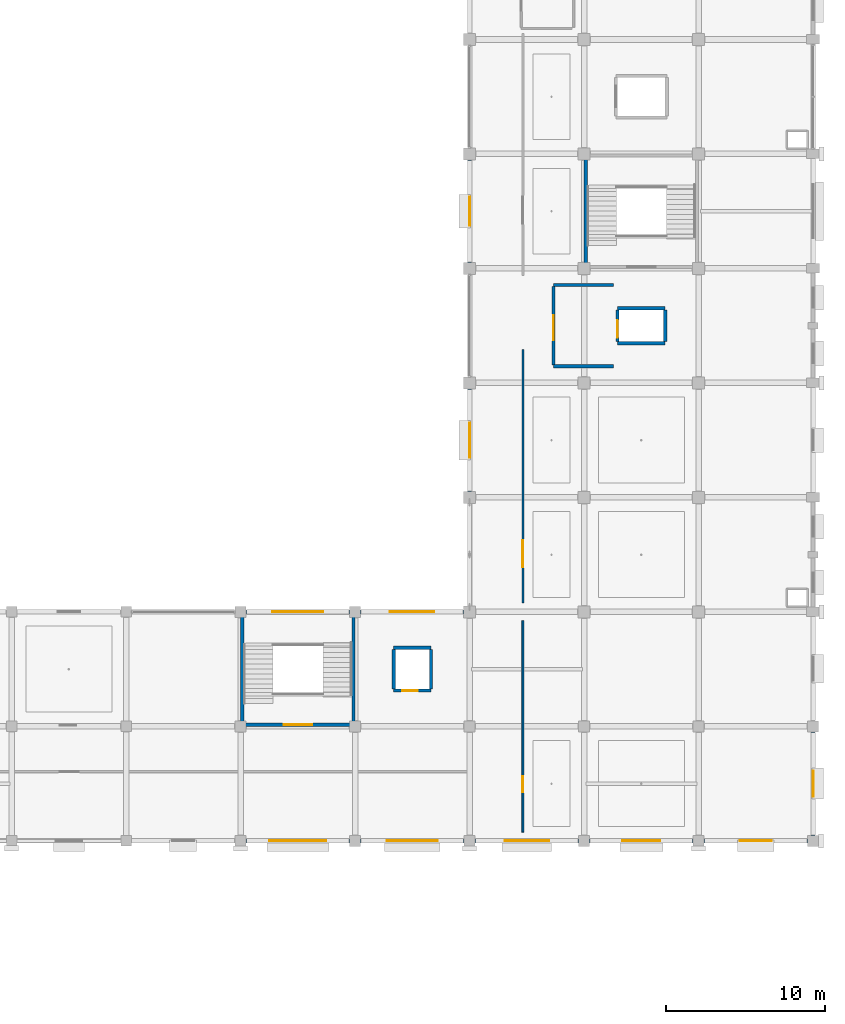
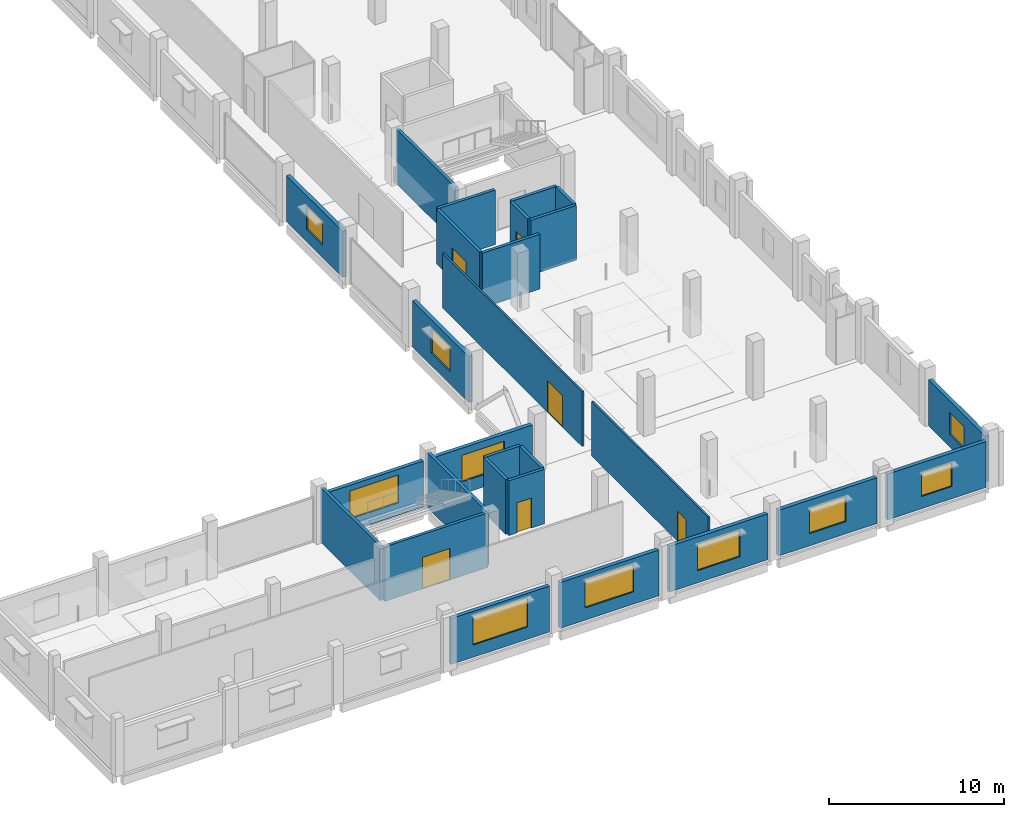
# One storey, part 85 of 108: 27 walls, 10 windows, 6 doors, 16 openings.
"""IFC4 building model written with IfcOpenShell, lengths in metres."""

from ifc_helpers import new_model, si_unit, direction, frame, frame_2d, origin, place, context, subcontext, project, spatial, rectangle, extrude, material, layer, layer_set, type_object, element, fill, save


model = new_model("IFC4")

# Units and contexts
model_context = context("Model", 3, precision=1e-05, world=origin(), true_north=direction((0.0, 1.0)))
body_context = subcontext(model_context, "Body", "Model", "MODEL_VIEW")
ifc_project = project(units=[si_unit("LENGTHUNIT", "METRE"), si_unit("AREAUNIT", "SQUARE_METRE"), si_unit("VOLUMEUNIT", "CUBIC_METRE"), si_unit("PLANEANGLEUNIT", "RADIAN"), si_unit("MASSUNIT", "GRAM", prefix="KILO")], contexts=[model_context])

# Site, building, storey
site_placement = place(None, origin())
site = spatial("IfcSite", under=ifc_project, at=site_placement, CompositionType="ELEMENT")
building_placement = place(site_placement, origin())
building = spatial("IfcBuilding", under=site, at=building_placement, Name="Kangsadwip Square Police Headquarters", CompositionType="ELEMENT")
storey_placement = place(building_placement, frame((0.0, 0.0, 9.449951171875)))
storey = spatial("IfcBuildingStorey", under=building, at=storey_placement, Name="L02", CompositionType="ELEMENT", Elevation=9.449951171875)

# Wall, opening, door
ifc_material_1 = material(Name="Fire-rated double gypsum board acoustic stud partition", Category="masonry")
ifc_layer_1 = layer(ifc_material_1, 0.1201171875)
ifc_layer_set_1 = layer_set([ifc_layer_1], Name="Fire-rated double gypsum board acoustic stud partition")
wall_type_1 = type_object("IfcWallType", Name="AcousticPartition120", PredefinedType="PARTITIONING", material=ifc_layer_set_1)
wall_1_placement = place(storey_placement, frame((147.35009765625, 36.550048828125, 0.0), z_axis=(0.0, 0.0, 1.0), x_axis=(0.0, 1.0, 0.0)))
wall_1 = element("IfcWall", 1, at=wall_1_placement, inside=storey, type_object=wall_type_1, Name="Interior Wall WI-L02-0785", PredefinedType="PARTITIONING", context=body_context, shape_type="SweptSolid", body=[
    extrude(rectangle(XDim=15.949951171875, YDim=0.1201171875, at=frame_2d((7.97509765625, 0.0))), origin(), (0.0, 0.0, 1.0), 3.81005859375),
])
opening_1_placement = place(wall_1_placement, frame((2.25, 0.0, 0.0)))
opening_1 = element("IfcOpeningElement", 2, at=opening_1_placement, cuts=wall_1, Name="Opening ID-17", PredefinedType="OPENING", context=body_context, shape_type="SweptSolid", body=[
    extrude(rectangle(XDim=1.699951171875, YDim=2.199951171875, at=frame_2d((0.85009765625, 1.10009765625))), frame((0.0, 0.070068359375, 0.0), z_axis=(0.0, -1.0, 0.0), x_axis=(1.0, 0.0, 0.0)), (0.0, 0.0, 1.0), 0.14013671875),
])
ifc_material_2 = material(Name="Insulated galvanized steel fire-rated door assembly", Category="steel")
door_type_1 = type_object("IfcDoorType", Name="LabDoubleDoor1700x2200", OperationType="DOUBLE_DOOR_SINGLE_SWING", PredefinedType="DOOR", material=ifc_material_2)
door_1_placement = place(opening_1_placement, origin())
door_1 = element("IfcDoor", 3, at=door_1_placement, inside=storey, type_object=door_type_1, Name="Interior Door ID-L02-0196", OperationType="DOUBLE_DOOR_SINGLE_SWING", OverallHeight=2.199951171875, OverallWidth=1.699951171875, PredefinedType="DOOR", context=body_context, shape_type="SweptSolid", body=[
    extrude(rectangle(XDim=1.699951171875, YDim=2.199951171875, at=frame_2d((0.85009765625, 1.10009765625))), frame((0.0, 0.02490234375, 0.0), z_axis=(0.0, -1.0, 0.0), x_axis=(1.0, 0.0, 0.0)), (0.0, 0.0, 1.0), 0.050048828125),
])
fill(opening_1, door_1)

wall_2_placement = place(storey_placement, frame((147.35009765625, 22.14990234375, 0.0), z_axis=(0.0, 0.0, 1.0), x_axis=(0.0, 1.0, 0.0)))
wall_2 = element("IfcWall", 4, at=wall_2_placement, inside=storey, type_object=wall_type_1, Name="Interior Wall WI-L02-0790", PredefinedType="PARTITIONING", context=body_context, shape_type="SweptSolid", body=[
    extrude(rectangle(XDim=13.300048828125, YDim=0.1201171875, at=frame_2d((6.64990234375, 0.0))), origin(), (0.0, 0.0, 1.0), 3.81005859375),
])
opening_2_placement = place(wall_2_placement, frame((2.510009765625, 0.0, 0.0)))
opening_2 = element("IfcOpeningElement", 5, at=opening_2_placement, cuts=wall_2, Name="Opening ID-10B", PredefinedType="OPENING", context=body_context, shape_type="SweptSolid", body=[
    extrude(rectangle(XDim=1.0, YDim=2.10009765625, at=frame_2d((0.5, 1.050048828125))), frame((0.0, 0.070068359375, 0.0), z_axis=(0.0, -1.0, 0.0), x_axis=(1.0, 0.0, 0.0)), (0.0, 0.0, 1.0), 0.14013671875),
])
ifc_material_3 = material(Name="Solid-core seasoned teak hardwood architectural door", Category="wood")
door_type_2 = type_object("IfcDoorType", Name="OfficeDoor1000x2100", OperationType="NOTDEFINED", PredefinedType="DOOR", material=ifc_material_3)
door_2_placement = place(opening_2_placement, origin())
door_2 = element("IfcDoor", 6, at=door_2_placement, inside=storey, type_object=door_type_2, Name="Interior Door ID-L02-0200", OperationType="SINGLE_SWING_RIGHT", OverallHeight=2.10009765625, OverallWidth=1.0, PredefinedType="DOOR", context=body_context, shape_type="SweptSolid", body=[
    extrude(rectangle(XDim=1.0, YDim=2.10009765625, at=frame_2d((0.5, 1.050048828125))), frame((0.0, 0.02490234375, 0.0), z_axis=(0.0, -1.0, 0.0), x_axis=(1.0, 0.0, 0.0)), (0.0, 0.0, 1.0), 0.050048828125),
])
fill(opening_2, door_2)

# Wall, opening, window
ifc_material_4 = material(Name="Glazed architectural terracotta masonry rainscreen", Category="masonry")
ifc_layer_2 = layer(ifc_material_4, 0.25)
ifc_layer_set_2 = layer_set([ifc_layer_2], Name="Glazed architectural terracotta masonry rainscreen")
wall_type_2 = type_object("IfcWallType", Name="ChicagoTerracottaWall250", PredefinedType="SOLIDWALL", material=ifc_layer_set_2)
wall_3_placement = place(storey_placement, frame((129.945068359375, 21.60009765625, 0.0), z_axis=(0.0, 0.0, 1.0), x_axis=(1.0, 0.0, 0.0)))
wall_3 = element("IfcWall", 7, at=wall_3_placement, inside=storey, type_object=wall_type_2, Name="Exterior Wall WE-L02-298", PredefinedType="SOLIDWALL", context=body_context, shape_type="SweptSolid", body=[
    extrude(rectangle(XDim=6.510009765625, YDim=0.25, at=frame_2d((3.2548828125, 0.0))), origin(), (0.0, 0.0, 1.0), 3.195068359375),
])
opening_3_placement = place(wall_3_placement, frame((1.455078125, 0.0, 0.85009765625)))
opening_3 = element("IfcOpeningElement", 8, at=opening_3_placement, cuts=wall_3, Name="Opening WN-01", PredefinedType="OPENING", context=body_context, shape_type="SweptSolid", body=[
    extrude(rectangle(XDim=3.60009765625, YDim=2.050048828125, at=frame_2d((1.800048828125, 1.02490234375))), frame((0.0, 0.135009765625, 0.0), z_axis=(0.0, -1.0, 0.0), x_axis=(1.0, 0.0, 0.0)), (0.0, 0.0, 1.0), 0.27001953125),
])
ifc_material_5 = material(Name="Double-glazed solar-control low-E safety glass", Category="glass")
window_type_1 = type_object("IfcWindowType", Name="ChicagoTripartiteWin3600x2050", PartitioningType="TRIPLE_PANEL_HORIZONTAL", PredefinedType="WINDOW", material=ifc_material_5)
window_1_placement = place(opening_3_placement, origin())
window_1 = element("IfcWindow", 9, at=window_1_placement, inside=storey, type_object=window_type_1, Name="Window WN-L02-0151", OverallHeight=2.050048828125, OverallWidth=3.60009765625, PartitioningType="SINGLE_PANEL", PredefinedType="WINDOW", context=body_context, shape_type="SweptSolid", body=[
    extrude(rectangle(XDim=3.60009765625, YDim=2.050048828125, at=frame_2d((1.800048828125, 1.02490234375))), frame((0.0, 0.030029296875, 0.0), z_axis=(0.0, -1.0, 0.0), x_axis=(1.0, 0.0, 0.0)), (0.0, 0.0, 1.0), 0.06005859375),
])
fill(opening_3, window_1)

wall_4_placement = place(storey_placement, frame((137.14501953125, 21.60009765625, 0.0), z_axis=(0.0, 0.0, 1.0), x_axis=(1.0, 0.0, 0.0)))
wall_4 = element("IfcWall", 10, at=wall_4_placement, inside=storey, type_object=wall_type_2, Name="Exterior Wall WE-L02-299", PredefinedType="SOLIDWALL", context=body_context, shape_type="SweptSolid", body=[
    extrude(rectangle(XDim=6.510009765625, YDim=0.25, at=frame_2d((3.2548828125, 0.0))), origin(), (0.0, 0.0, 1.0), 3.195068359375),
])
opening_4_placement = place(wall_4_placement, frame((1.655029296875, 0.0, 0.85009765625)))
opening_4 = element("IfcOpeningElement", 11, at=opening_4_placement, cuts=wall_4, Name="Opening WN-03", PredefinedType="OPENING", context=body_context, shape_type="SweptSolid", body=[
    extrude(rectangle(XDim=3.199951171875, YDim=1.949951171875, at=frame_2d((1.60009765625, 0.97509765625))), frame((0.0, 0.135009765625, 0.0), z_axis=(0.0, -1.0, 0.0), x_axis=(1.0, 0.0, 0.0)), (0.0, 0.0, 1.0), 0.27001953125),
])
ifc_material_6 = material(Name="Double-glazed solar-control low-E safety glass", Category="glass")
window_type_2 = type_object("IfcWindowType", Name="ChicagoTripartiteWin3200x1950", PartitioningType="TRIPLE_PANEL_HORIZONTAL", PredefinedType="WINDOW", material=ifc_material_6)
window_2_placement = place(opening_4_placement, origin())
window_2 = element("IfcWindow", 12, at=window_2_placement, inside=storey, type_object=window_type_2, Name="Window WN-L02-0152", OverallHeight=1.949951171875, OverallWidth=3.199951171875, PartitioningType="SINGLE_PANEL", PredefinedType="WINDOW", context=body_context, shape_type="SweptSolid", body=[
    extrude(rectangle(XDim=3.199951171875, YDim=1.949951171875, at=frame_2d((1.60009765625, 0.97509765625))), frame((0.0, 0.030029296875, 0.0), z_axis=(0.0, -1.0, 0.0), x_axis=(1.0, 0.0, 0.0)), (0.0, 0.0, 1.0), 0.06005859375),
])
fill(opening_4, window_2)

wall_5_placement = place(storey_placement, frame((144.344970703125, 21.60009765625, 0.0), z_axis=(0.0, 0.0, 1.0), x_axis=(1.0, 0.0, 0.0)))
wall_5 = element("IfcWall", 13, at=wall_5_placement, inside=storey, type_object=wall_type_2, Name="Exterior Wall WE-L02-300", PredefinedType="SOLIDWALL", context=body_context, shape_type="SweptSolid", body=[
    extrude(rectangle(XDim=6.510009765625, YDim=0.25, at=frame_2d((3.2548828125, 0.0))), origin(), (0.0, 0.0, 1.0), 3.195068359375),
])
opening_5_placement = place(wall_5_placement, frame((1.85498046875, 0.0, 0.85009765625)))
opening_5 = element("IfcOpeningElement", 14, at=opening_5_placement, cuts=wall_5, Name="Opening WN-05", PredefinedType="OPENING", context=body_context, shape_type="SweptSolid", body=[
    extrude(rectangle(XDim=2.800048828125, YDim=1.85009765625, at=frame_2d((1.39990234375, 0.925048828125))), frame((0.0, 0.135009765625, 0.0), z_axis=(0.0, -1.0, 0.0), x_axis=(1.0, 0.0, 0.0)), (0.0, 0.0, 1.0), 0.27001953125),
])
ifc_material_7 = material(Name="Double-glazed solar-control low-E safety glass", Category="glass")
window_type_3 = type_object("IfcWindowType", Name="ChicagoDoubleMullWin2800x1850", PartitioningType="DOUBLE_PANEL_VERTICAL", PredefinedType="WINDOW", material=ifc_material_7)
window_3_placement = place(opening_5_placement, origin())
window_3 = element("IfcWindow", 15, at=window_3_placement, inside=storey, type_object=window_type_3, Name="Window WN-L02-0153", OverallHeight=1.85009765625, OverallWidth=2.800048828125, PartitioningType="SINGLE_PANEL", PredefinedType="WINDOW", context=body_context, shape_type="SweptSolid", body=[
    extrude(rectangle(XDim=2.800048828125, YDim=1.85009765625, at=frame_2d((1.39990234375, 0.925048828125))), frame((0.0, 0.030029296875, 0.0), z_axis=(0.0, -1.0, 0.0), x_axis=(1.0, 0.0, 0.0)), (0.0, 0.0, 1.0), 0.06005859375),
])
fill(opening_5, window_3)

wall_6_placement = place(storey_placement, frame((151.544921875, 21.60009765625, 0.0), z_axis=(0.0, 0.0, 1.0), x_axis=(1.0, 0.0, 0.0)))
wall_6 = element("IfcWall", 16, at=wall_6_placement, inside=storey, type_object=wall_type_2, Name="Exterior Wall WE-L02-301", PredefinedType="SOLIDWALL", context=body_context, shape_type="SweptSolid", body=[
    extrude(rectangle(XDim=6.510009765625, YDim=0.25, at=frame_2d((3.2548828125, 0.0))), origin(), (0.0, 0.0, 1.0), 3.195068359375),
])
opening_6_placement = place(wall_6_placement, frame((2.054931640625, 0.0, 0.85009765625)))
opening_6 = element("IfcOpeningElement", 17, at=opening_6_placement, cuts=wall_6, Name="Opening WN-07", PredefinedType="OPENING", context=body_context, shape_type="SweptSolid", body=[
    extrude(rectangle(XDim=2.39990234375, YDim=1.75, at=frame_2d((1.199951171875, 0.875))), frame((0.0, 0.135009765625, 0.0), z_axis=(0.0, -1.0, 0.0), x_axis=(1.0, 0.0, 0.0)), (0.0, 0.0, 1.0), 0.27001953125),
])
ifc_material_8 = material(Name="Double-glazed solar-control low-E safety glass", Category="glass")
window_type_4 = type_object("IfcWindowType", Name="ChicagoDoubleMullWin2400x1750", PartitioningType="DOUBLE_PANEL_VERTICAL", PredefinedType="WINDOW", material=ifc_material_8)
window_4_placement = place(opening_6_placement, origin())
window_4 = element("IfcWindow", 18, at=window_4_placement, inside=storey, type_object=window_type_4, Name="Window WN-L02-0154", OverallHeight=1.75, OverallWidth=2.39990234375, PartitioningType="SINGLE_PANEL", PredefinedType="WINDOW", context=body_context, shape_type="SweptSolid", body=[
    extrude(rectangle(XDim=2.39990234375, YDim=1.75, at=frame_2d((1.199951171875, 0.875))), frame((0.0, 0.030029296875, 0.0), z_axis=(0.0, -1.0, 0.0), x_axis=(1.0, 0.0, 0.0)), (0.0, 0.0, 1.0), 0.06005859375),
])
fill(opening_6, window_4)

wall_7_placement = place(storey_placement, frame((158.7451171875, 21.60009765625, 0.0), z_axis=(0.0, 0.0, 1.0), x_axis=(1.0, 0.0, 0.0)))
wall_7 = element("IfcWall", 19, at=wall_7_placement, inside=storey, type_object=wall_type_2, Name="Exterior Wall WE-L02-302", PredefinedType="SOLIDWALL", context=body_context, shape_type="SweptSolid", body=[
    extrude(rectangle(XDim=6.509765625, YDim=0.25, at=frame_2d((3.2548828125, 0.0))), origin(), (0.0, 0.0, 1.0), 3.195068359375),
])
opening_7_placement = place(wall_7_placement, frame((2.2548828125, 0.0, 0.85009765625)))
opening_7 = element("IfcOpeningElement", 20, at=opening_7_placement, cuts=wall_7, Name="Opening WN-09", PredefinedType="OPENING", context=body_context, shape_type="SweptSolid", body=[
    extrude(rectangle(XDim=2.0, YDim=1.64990234375, at=frame_2d((1.0, 0.824951171875))), frame((0.0, 0.135009765625, 0.0), z_axis=(0.0, -1.0, 0.0), x_axis=(1.0, 0.0, 0.0)), (0.0, 0.0, 1.0), 0.27001953125),
])
ifc_material_9 = material(Name="Double-glazed solar-control low-E safety glass", Category="glass")
window_type_5 = type_object("IfcWindowType", Name="ChicagoDoubleMullWin2000x1650", PartitioningType="DOUBLE_PANEL_VERTICAL", PredefinedType="WINDOW", material=ifc_material_9)
window_5_placement = place(opening_7_placement, origin())
window_5 = element("IfcWindow", 21, at=window_5_placement, inside=storey, type_object=window_type_5, Name="Window WN-L02-0155", OverallHeight=1.64990234375, OverallWidth=2.0, PartitioningType="SINGLE_PANEL", PredefinedType="WINDOW", context=body_context, shape_type="SweptSolid", body=[
    extrude(rectangle(XDim=2.0, YDim=1.64990234375, at=frame_2d((1.0, 0.824951171875))), frame((0.0, 0.030029296875, 0.0), z_axis=(0.0, -1.0, 0.0), x_axis=(1.0, 0.0, 0.0)), (0.0, 0.0, 1.0), 0.06005859375),
])
fill(opening_7, window_5)

wall_8_placement = place(storey_placement, frame((129.945068359375, 36.0, 0.0), z_axis=(0.0, 0.0, 1.0), x_axis=(1.0, 0.0, 0.0)))
wall_8 = element("IfcWall", 22, at=wall_8_placement, inside=storey, type_object=wall_type_2, Name="Exterior Wall WE-L02-306", PredefinedType="SOLIDWALL", context=body_context, shape_type="SweptSolid", body=[
    extrude(rectangle(XDim=6.510009765625, YDim=0.25, at=frame_2d((3.2548828125, 0.0))), origin(), (0.0, 0.0, 1.0), 3.195068359375),
])
opening_8_placement = place(wall_8_placement, frame((1.655029296875, 0.0, 0.85009765625)))
opening_8 = element("IfcOpeningElement", 23, at=opening_8_placement, cuts=wall_8, Name="Opening WN-03", PredefinedType="OPENING", context=body_context, shape_type="SweptSolid", body=[
    extrude(rectangle(XDim=3.199951171875, YDim=1.949951171875, at=frame_2d((1.60009765625, 0.97509765625))), frame((0.0, 0.135009765625, 0.0), z_axis=(0.0, -1.0, 0.0), x_axis=(1.0, 0.0, 0.0)), (0.0, 0.0, 1.0), 0.27001953125),
])
window_6_placement = place(opening_8_placement, origin())
window_6 = element("IfcWindow", 24, at=window_6_placement, inside=storey, type_object=window_type_2, Name="Window WN-L02-0159", OverallHeight=1.949951171875, OverallWidth=3.199951171875, PartitioningType="SINGLE_PANEL", PredefinedType="WINDOW", context=body_context, shape_type="SweptSolid", body=[
    extrude(rectangle(XDim=3.199951171875, YDim=1.949951171875, at=frame_2d((1.60009765625, 0.97509765625))), frame((0.0, 0.030029296875, 0.0), z_axis=(0.0, -1.0, 0.0), x_axis=(1.0, 0.0, 0.0)), (0.0, 0.0, 1.0), 0.06005859375),
])
fill(opening_8, window_6)

wall_9_placement = place(storey_placement, frame((137.14501953125, 36.0, 0.0), z_axis=(0.0, 0.0, 1.0), x_axis=(1.0, 0.0, 0.0)))
wall_9 = element("IfcWall", 25, at=wall_9_placement, inside=storey, type_object=wall_type_2, Name="Exterior Wall WE-L02-307", PredefinedType="SOLIDWALL", context=body_context, shape_type="SweptSolid", body=[
    extrude(rectangle(XDim=6.48486328125, YDim=0.25, at=frame_2d((3.242431640625, 0.0))), origin(), (0.0, 0.0, 1.0), 3.195068359375),
])
opening_9_placement = place(wall_9_placement, frame((1.842529296875, 0.0, 0.85009765625)))
opening_9 = element("IfcOpeningElement", 26, at=opening_9_placement, cuts=wall_9, Name="Opening WN-05", PredefinedType="OPENING", context=body_context, shape_type="SweptSolid", body=[
    extrude(rectangle(XDim=2.800048828125, YDim=1.85009765625, at=frame_2d((1.39990234375, 0.925048828125))), frame((0.0, 0.135009765625, 0.0), z_axis=(0.0, -1.0, 0.0), x_axis=(1.0, 0.0, 0.0)), (0.0, 0.0, 1.0), 0.27001953125),
])
window_7_placement = place(opening_9_placement, origin())
window_7 = element("IfcWindow", 27, at=window_7_placement, inside=storey, type_object=window_type_3, Name="Window WN-L02-0160", OverallHeight=1.85009765625, OverallWidth=2.800048828125, PartitioningType="SINGLE_PANEL", PredefinedType="WINDOW", context=body_context, shape_type="SweptSolid", body=[
    extrude(rectangle(XDim=2.800048828125, YDim=1.85009765625, at=frame_2d((1.39990234375, 0.925048828125))), frame((0.0, 0.030029296875, 0.0), z_axis=(0.0, -1.0, 0.0), x_axis=(1.0, 0.0, 0.0)), (0.0, 0.0, 1.0), 0.06005859375),
])
fill(opening_9, window_7)

wall_10_placement = place(storey_placement, frame((144.0, 43.570068359375, 0.0), z_axis=(0.0, 0.0, 1.0), x_axis=(0.0, 1.0, 0.0)))
wall_10 = element("IfcWall", 28, at=wall_10_placement, inside=storey, type_object=wall_type_2, Name="Exterior Wall WE-L02-344", PredefinedType="SOLIDWALL", context=body_context, shape_type="SweptSolid", body=[
    extrude(rectangle(XDim=6.4599609375, YDim=0.25, at=frame_2d((3.22998046875, 0.0))), origin(), (0.0, 0.0, 1.0), 3.195068359375),
])
opening_10_placement = place(wall_10_placement, frame((2.1298828125, 0.0, 0.85009765625)))
opening_10 = element("IfcOpeningElement", 29, at=opening_10_placement, cuts=wall_10, Name="Opening WN-08", PredefinedType="OPENING", context=body_context, shape_type="SweptSolid", body=[
    extrude(rectangle(XDim=2.199951171875, YDim=1.699951171875, at=frame_2d((1.10009765625, 0.85009765625))), frame((0.0, 0.135009765625, 0.0), z_axis=(0.0, -1.0, 0.0), x_axis=(1.0, 0.0, 0.0)), (0.0, 0.0, 1.0), 0.27001953125),
])
ifc_material_10 = material(Name="Double-glazed solar-control low-E safety glass", Category="glass")
window_type_6 = type_object("IfcWindowType", Name="ChicagoDoubleMullWin2200x1700", PartitioningType="DOUBLE_PANEL_VERTICAL", PredefinedType="WINDOW", material=ifc_material_10)
window_8_placement = place(opening_10_placement, origin())
window_8 = element("IfcWindow", 30, at=window_8_placement, inside=storey, type_object=window_type_6, Name="Window WN-L02-0197", OverallHeight=1.699951171875, OverallWidth=2.199951171875, PartitioningType="SINGLE_PANEL", PredefinedType="WINDOW", context=body_context, shape_type="SweptSolid", body=[
    extrude(rectangle(XDim=2.199951171875, YDim=1.699951171875, at=frame_2d((1.10009765625, 0.85009765625))), frame((0.0, 0.030029296875, 0.0), z_axis=(0.0, -1.0, 0.0), x_axis=(1.0, 0.0, 0.0)), (0.0, 0.0, 1.0), 0.06005859375),
])
fill(opening_10, window_8)

wall_11_placement = place(storey_placement, frame((144.0, 57.969970703125, 0.0), z_axis=(0.0, 0.0, 1.0), x_axis=(0.0, 1.0, 0.0)))
wall_11 = element("IfcWall", 31, at=wall_11_placement, inside=storey, type_object=wall_type_2, Name="Exterior Wall WE-L02-345", PredefinedType="SOLIDWALL", context=body_context, shape_type="SweptSolid", body=[
    extrude(rectangle(XDim=6.4599609375, YDim=0.25, at=frame_2d((3.22998046875, 0.0))), origin(), (0.0, 0.0, 1.0), 3.195068359375),
])
opening_11_placement = place(wall_11_placement, frame((2.330078125, 0.0, 0.85009765625)))
opening_11 = element("IfcOpeningElement", 32, at=opening_11_placement, cuts=wall_11, Name="Opening WN-10", PredefinedType="OPENING", context=body_context, shape_type="SweptSolid", body=[
    extrude(rectangle(XDim=1.800048828125, YDim=1.60009765625, at=frame_2d((0.89990234375, 0.800048828125))), frame((0.0, 0.135009765625, 0.0), z_axis=(0.0, -1.0, 0.0), x_axis=(1.0, 0.0, 0.0)), (0.0, 0.0, 1.0), 0.27001953125),
])
ifc_material_11 = material(Name="Double-glazed solar-control low-E safety glass", Category="glass")
window_type_7 = type_object("IfcWindowType", Name="LabCleanViewWin1800x1600", PartitioningType="DOUBLE_PANEL_VERTICAL", PredefinedType="WINDOW", material=ifc_material_11)
window_9_placement = place(opening_11_placement, origin())
window_9 = element("IfcWindow", 33, at=window_9_placement, inside=storey, type_object=window_type_7, Name="Window WN-L02-0198", OverallHeight=1.60009765625, OverallWidth=1.800048828125, PartitioningType="SINGLE_PANEL", PredefinedType="WINDOW", context=body_context, shape_type="SweptSolid", body=[
    extrude(rectangle(XDim=1.800048828125, YDim=1.60009765625, at=frame_2d((0.89990234375, 0.800048828125))), frame((0.0, 0.030029296875, 0.0), z_axis=(0.0, -1.0, 0.0), x_axis=(1.0, 0.0, 0.0)), (0.0, 0.0, 1.0), 0.06005859375),
])
fill(opening_11, window_9)

wall_12_placement = place(storey_placement, frame((165.60009765625, 21.945068359375, 0.0), z_axis=(0.0, 0.0, 1.0), x_axis=(0.0, 1.0, 0.0)))
wall_12 = element("IfcWall", 34, at=wall_12_placement, inside=storey, type_object=wall_type_2, Name="Exterior Wall WE-L02-348", PredefinedType="SOLIDWALL", context=body_context, shape_type="SweptSolid", body=[
    extrude(rectangle(XDim=6.510009765625, YDim=0.25, at=frame_2d((3.2548828125, 0.0))), origin(), (0.0, 0.0, 1.0), 3.195068359375),
])
opening_12_placement = place(wall_12_placement, frame((2.429931640625, 0.0, 0.85009765625)))
opening_12 = element("IfcOpeningElement", 35, at=opening_12_placement, cuts=wall_12, Name="Opening WN-11", PredefinedType="OPENING", context=body_context, shape_type="SweptSolid", body=[
    extrude(rectangle(XDim=1.64990234375, YDim=1.550048828125, at=frame_2d((0.824951171875, 0.77490234375))), frame((0.0, 0.135009765625, 0.0), z_axis=(0.0, -1.0, 0.0), x_axis=(1.0, 0.0, 0.0)), (0.0, 0.0, 1.0), 0.27001953125),
])
ifc_material_12 = material(Name="Double-glazed solar-control low-E safety glass", Category="glass")
window_type_8 = type_object("IfcWindowType", Name="LabCleanViewWin1650x1550", PartitioningType="SINGLE_PANEL", PredefinedType="WINDOW", material=ifc_material_12)
window_10_placement = place(opening_12_placement, origin())
window_10 = element("IfcWindow", 36, at=window_10_placement, inside=storey, type_object=window_type_8, Name="Window WN-L02-0201", OverallHeight=1.550048828125, OverallWidth=1.64990234375, PartitioningType="SINGLE_PANEL", PredefinedType="WINDOW", context=body_context, shape_type="SweptSolid", body=[
    extrude(rectangle(XDim=1.64990234375, YDim=1.550048828125, at=frame_2d((0.824951171875, 0.77490234375))), frame((0.0, 0.030029296875, 0.0), z_axis=(0.0, -1.0, 0.0), x_axis=(1.0, 0.0, 0.0)), (0.0, 0.0, 1.0), 0.06005859375),
])
fill(opening_12, window_10)

# Wall
ifc_material_13 = material(Name="Concrete M40 (40 MPa)", Category="concrete")
ifc_layer_3 = layer(ifc_material_13, 0.199951171875)
ifc_layer_set_3 = layer_set([ifc_layer_3], Name="Concrete M40 (40 MPa)")
wall_type_3 = type_object("IfcWallType", Name="CoreShearWall200", PredefinedType="SHEAR", material=ifc_layer_set_3)
wall_13_placement = place(storey_placement, frame((151.300048828125, 57.800048828125, 0.0), z_axis=(0.0, 0.0, 1.0), x_axis=(0.0, 1.0, 0.0)))
element("IfcWall", 37, at=wall_13_placement, inside=storey, type_object=wall_type_3, Name="Interior Wall WI-L02-0103", PredefinedType="SHEAR", context=body_context, shape_type="SweptSolid", body=[
    extrude(rectangle(XDim=6.800048828125, YDim=0.199951171875, at=frame_2d((3.39990234375, 0.0))), origin(), (0.0, 0.0, 1.0), 3.81005859375),
])

# Wall, opening, door
wall_14_placement = place(storey_placement, frame((129.800048828125, 28.89990234375, 0.0), z_axis=(0.0, 0.0, 1.0), x_axis=(1.0, 0.0, 0.0)))
wall_14 = element("IfcWall", 38, at=wall_14_placement, inside=storey, type_object=wall_type_3, Name="Interior Wall WI-L02-0187", PredefinedType="SHEAR", context=body_context, shape_type="SweptSolid", body=[
    extrude(rectangle(XDim=6.800048828125, YDim=0.199951171875, at=frame_2d((3.39990234375, 0.0))), origin(), (0.0, 0.0, 1.0), 3.81005859375),
])
opening_13_placement = place(wall_14_placement, frame((2.5, 0.0, 0.0)))
opening_13 = element("IfcOpeningElement", 39, at=opening_13_placement, cuts=wall_14, Name="Opening FD-18", PredefinedType="OPENING", context=body_context, shape_type="SweptSolid", body=[
    extrude(rectangle(XDim=1.800048828125, YDim=2.199951171875, at=frame_2d((0.89990234375, 1.10009765625))), frame((0.0, 0.10986328125, 0.0), z_axis=(0.0, -1.0, 0.0), x_axis=(1.0, 0.0, 0.0)), (0.0, 0.0, 1.0), 0.219970703125),
])
ifc_material_14 = material(Name="Insulated galvanized steel fire-rated door assembly", Category="steel")
door_type_3 = type_object("IfcDoorType", Name="StairFireDoor1800x2200", OperationType="DOUBLE_DOOR_SINGLE_SWING", PredefinedType="DOOR", material=ifc_material_14)
door_3_placement = place(opening_13_placement, origin())
door_3 = element("IfcDoor", 40, at=door_3_placement, inside=storey, type_object=door_type_3, Name="Interior Door ID-L02-0042", OperationType="DOUBLE_DOOR_SINGLE_SWING", OverallHeight=2.199951171875, OverallWidth=1.800048828125, PredefinedType="DOOR", context=body_context, shape_type="SweptSolid", body=[
    extrude(rectangle(XDim=1.800048828125, YDim=2.199951171875, at=frame_2d((0.89990234375, 1.10009765625))), frame((0.0, 0.02490234375, 0.0), z_axis=(0.0, -1.0, 0.0), x_axis=(1.0, 0.0, 0.0)), (0.0, 0.0, 1.0), 0.050048828125),
])
fill(opening_13, door_3)

# Walls
for number, where, z_axis, x_axis, name in (
    (41, (129.699951171875, 29.0, 0.0), (0.0, 0.0, 1.0), (0.0, 1.0, 0.0), "Interior Wall WI-L02-0188"),
    (42, (136.699951171875, 29.0, 0.0), (0.0, 0.0, 1.0), (0.0, 1.0, 0.0), "Interior Wall WI-L02-0189"),
):
    element("IfcWall", number, at=place(storey_placement, frame(where, z_axis=z_axis, x_axis=x_axis)), inside=storey, type_object=wall_type_3, Name=name, PredefinedType="SHEAR", context=body_context, shape_type="SweptSolid", body=[
        extrude(rectangle(XDim=6.800048828125, YDim=0.199951171875, at=frame_2d((3.39990234375, 0.0))), origin(), (0.0, 0.0, 1.0), 3.81005859375),
    ])
for number, where, z_axis, x_axis, name in (
    (43, (153.300048828125, 52.89990234375, 0.0), (0.0, 0.0, 1.0), (1.0, 0.0, 0.0), "Interior Wall WI-L02-0323"),
    (44, (153.300048828125, 55.10009765625, 0.0), (0.0, 0.0, 1.0), (1.0, 0.0, 0.0), "Interior Wall WI-L02-0324"),
):
    element("IfcWall", number, at=place(storey_placement, frame(where, z_axis=z_axis, x_axis=x_axis)), inside=storey, type_object=wall_type_3, Name=name, PredefinedType="SHEAR", context=body_context, shape_type="SweptSolid", body=[
        extrude(rectangle(XDim=3.0, YDim=0.199951171875, at=frame_2d((1.5, 0.0))), origin(), (0.0, 0.0, 1.0), 3.81005859375),
    ])

# Wall, opening, door
wall_15_placement = place(storey_placement, frame((153.300048828125, 53.0, 0.0), z_axis=(0.0, 0.0, 1.0), x_axis=(0.0, 1.0, 0.0)))
wall_15 = element("IfcWall", 45, at=wall_15_placement, inside=storey, type_object=wall_type_3, Name="Interior Wall WI-L02-0325", PredefinedType="SHEAR", context=body_context, shape_type="SweptSolid", body=[
    extrude(rectangle(XDim=2.0, YDim=0.199951171875, at=frame_2d((1.0, 0.0))), origin(), (0.0, 0.0, 1.0), 3.81005859375),
])
opening_14_placement = place(wall_15_placement, frame((0.25, 0.0, 0.0)))
opening_14 = element("IfcOpeningElement", 46, at=opening_14_placement, cuts=wall_15, Name="Opening LD-022", PredefinedType="OPENING", context=body_context, shape_type="SweptSolid", body=[
    extrude(rectangle(XDim=1.10009765625, YDim=2.14990234375, at=frame_2d((0.550048828125, 1.074951171875))), frame((0.0, 0.10986328125, 0.0), z_axis=(0.0, -1.0, 0.0), x_axis=(1.0, 0.0, 0.0)), (0.0, 0.0, 1.0), 0.219970703125),
])
ifc_material_15 = material(Name="Brushed stainless steel automatic sliding lift landing door", Category="steel")
door_type_4 = type_object("IfcDoorType", Name="LiftLandingDoor1100x2150", OperationType="DOUBLE_DOOR_SLIDING", PredefinedType="DOOR", material=ifc_material_15)
door_4_placement = place(opening_14_placement, origin())
door_4 = element("IfcDoor", 47, at=door_4_placement, inside=storey, type_object=door_type_4, Name="Interior Door LD-022", OperationType="DOUBLE_DOOR_SLIDING", OverallHeight=2.14990234375, OverallWidth=1.10009765625, PredefinedType="DOOR", context=body_context, shape_type="SweptSolid", body=[
    extrude(rectangle(XDim=1.10009765625, YDim=2.14990234375, at=frame_2d((0.550048828125, 1.074951171875))), frame((0.0, 0.02490234375, 0.0), z_axis=(0.0, -1.0, 0.0), x_axis=(1.0, 0.0, 0.0)), (0.0, 0.0, 1.0), 0.050048828125),
])
fill(opening_14, door_4)

# Wall
wall_16_placement = place(storey_placement, frame((156.300048828125, 53.0, 0.0), z_axis=(0.0, 0.0, 1.0), x_axis=(0.0, 1.0, 0.0)))
element("IfcWall", 48, at=wall_16_placement, inside=storey, type_object=wall_type_3, Name="Interior Wall WI-L02-0326", PredefinedType="SHEAR", context=body_context, shape_type="SweptSolid", body=[
    extrude(rectangle(XDim=2.0, YDim=0.199951171875, at=frame_2d((1.0, 0.0))), origin(), (0.0, 0.0, 1.0), 3.81005859375),
])

# Wall, opening, door
wall_17_placement = place(storey_placement, frame((139.22509765625, 31.050048828125, 0.0), z_axis=(0.0, 0.0, 1.0), x_axis=(1.0, 0.0, 0.0)))
wall_17 = element("IfcWall", 49, at=wall_17_placement, inside=storey, type_object=wall_type_3, Name="Interior Wall WI-L02-0495", PredefinedType="SHEAR", context=body_context, shape_type="SweptSolid", body=[
    extrude(rectangle(XDim=2.349853515625, YDim=0.199951171875, at=frame_2d((1.1748046875, 0.0))), origin(), (0.0, 0.0, 1.0), 3.81005859375),
])
opening_15_placement = place(wall_17_placement, frame((0.550048828125, 0.0, 0.0)))
opening_15 = element("IfcOpeningElement", 50, at=opening_15_placement, cuts=wall_17, Name="Opening LD-060", PredefinedType="OPENING", context=body_context, shape_type="SweptSolid", body=[
    extrude(rectangle(XDim=0.949951171875, YDim=2.10009765625, at=frame_2d((0.47509765625, 1.050048828125))), frame((0.0, 0.10986328125, 0.0), z_axis=(0.0, -1.0, 0.0), x_axis=(1.0, 0.0, 0.0)), (0.0, 0.0, 1.0), 0.219970703125),
])
ifc_material_16 = material(Name="Brushed stainless steel automatic sliding lift landing door", Category="steel")
door_type_5 = type_object("IfcDoorType", Name="LiftLandingDoor950x2100", OperationType="DOUBLE_DOOR_SLIDING", PredefinedType="DOOR", material=ifc_material_16)
door_5_placement = place(opening_15_placement, origin())
door_5 = element("IfcDoor", 51, at=door_5_placement, inside=storey, type_object=door_type_5, Name="Interior Door LD-060", OperationType="DOUBLE_DOOR_SLIDING", OverallHeight=2.10009765625, OverallWidth=0.949951171875, PredefinedType="DOOR", context=body_context, shape_type="SweptSolid", body=[
    extrude(rectangle(XDim=0.949951171875, YDim=2.10009765625, at=frame_2d((0.47509765625, 1.050048828125))), frame((0.0, 0.02490234375, 0.0), z_axis=(0.0, -1.0, 0.0), x_axis=(1.0, 0.0, 0.0)), (0.0, 0.0, 1.0), 0.050048828125),
])
fill(opening_15, door_5)

# Walls
wall_18_placement = place(storey_placement, frame((139.22509765625, 33.75, 0.0), z_axis=(0.0, 0.0, 1.0), x_axis=(1.0, 0.0, 0.0)))
element("IfcWall", 52, at=wall_18_placement, inside=storey, type_object=wall_type_3, Name="Interior Wall WI-L02-0496", PredefinedType="SHEAR", context=body_context, shape_type="SweptSolid", body=[
    extrude(rectangle(XDim=2.349853515625, YDim=0.199951171875, at=frame_2d((1.1748046875, 0.0))), origin(), (0.0, 0.0, 1.0), 3.81005859375),
])
for number, where, z_axis, x_axis, name in (
    (53, (139.22509765625, 31.14990234375, 0.0), (0.0, 0.0, 1.0), (0.0, 1.0, 0.0), "Interior Wall WI-L02-0497"),
    (54, (141.574951171875, 31.14990234375, 0.0), (0.0, 0.0, 1.0), (0.0, 1.0, 0.0), "Interior Wall WI-L02-0498"),
):
    element("IfcWall", number, at=place(storey_placement, frame(where, z_axis=z_axis, x_axis=x_axis)), inside=storey, type_object=wall_type_3, Name=name, PredefinedType="SHEAR", context=body_context, shape_type="SweptSolid", body=[
        extrude(rectangle(XDim=2.5, YDim=0.199951171875, at=frame_2d((1.25, 0.0))), origin(), (0.0, 0.0, 1.0), 3.81005859375),
    ])

# Wall, opening, door
ifc_material_17 = material(Name="Concrete M40 (40 MPa)", Category="concrete")
ifc_layer_4 = layer(ifc_material_17, 0.199951171875)
ifc_layer_set_4 = layer_set([ifc_layer_4], Name="Concrete M40 (40 MPa)")
wall_type_4 = type_object("IfcWallType", Name="CustodySecurityWall200", PredefinedType="SOLIDWALL", material=ifc_layer_set_4)
wall_19_placement = place(storey_placement, frame((149.280029296875, 51.530029296875, 0.0), z_axis=(0.0, 0.0, 1.0), x_axis=(0.0, 1.0, 0.0)))
wall_19 = element("IfcWall", 55, at=wall_19_placement, inside=storey, type_object=wall_type_4, Name="Interior Wall WI-L02-0756", PredefinedType="SOLIDWALL", context=body_context, shape_type="SweptSolid", body=[
    extrude(rectangle(XDim=4.93994140625, YDim=0.199951171875, at=frame_2d((2.469970703125, 0.0))), origin(), (0.0, 0.0, 1.0), 3.81005859375),
])
opening_16_placement = place(wall_19_placement, frame((1.541015625, 0.0, 0.0)))
opening_16 = element("IfcOpeningElement", 56, at=opening_16_placement, cuts=wall_19, Name="Opening FD-16", PredefinedType="OPENING", context=body_context, shape_type="SweptSolid", body=[
    extrude(rectangle(XDim=1.60009765625, YDim=2.199951171875, at=frame_2d((0.800048828125, 1.10009765625))), frame((0.0, 0.10986328125, 0.0), z_axis=(0.0, -1.0, 0.0), x_axis=(1.0, 0.0, 0.0)), (0.0, 0.0, 1.0), 0.219970703125),
])
ifc_material_18 = material(Name="Insulated galvanized steel fire-rated door assembly", Category="steel")
door_type_6 = type_object("IfcDoorType", Name="FfLobbyFireDoor1600x2200", OperationType="DOUBLE_DOOR_SINGLE_SWING", PredefinedType="DOOR", material=ifc_material_18)
door_6_placement = place(opening_16_placement, origin())
door_6 = element("IfcDoor", 57, at=door_6_placement, inside=storey, type_object=door_type_6, Name="Interior Door ID-L02-0180", OperationType="DOUBLE_DOOR_SINGLE_SWING", OverallHeight=2.199951171875, OverallWidth=1.60009765625, PredefinedType="DOOR", context=body_context, shape_type="SweptSolid", body=[
    extrude(rectangle(XDim=1.60009765625, YDim=2.199951171875, at=frame_2d((0.800048828125, 1.10009765625))), frame((0.0, 0.02490234375, 0.0), z_axis=(0.0, -1.0, 0.0), x_axis=(1.0, 0.0, 0.0)), (0.0, 0.0, 1.0), 0.050048828125),
])
fill(opening_16, door_6)

# Walls
for number, where, z_axis, x_axis, name in (
    (58, (149.280029296875, 51.449951171875, 0.0), (0.0, 0.0, 1.0), (1.0, 0.0, 0.0), "Interior Wall WI-L02-0757"),
    (59, (149.280029296875, 56.550048828125, 0.0), (0.0, 0.0, 1.0), (1.0, 0.0, 0.0), "Interior Wall WI-L02-0758"),
):
    element("IfcWall", number, at=place(storey_placement, frame(where, z_axis=z_axis, x_axis=x_axis)), inside=storey, type_object=wall_type_4, Name=name, PredefinedType="SOLIDWALL", context=body_context, shape_type="SweptSolid", body=[
        extrude(rectangle(XDim=3.780029296875, YDim=0.199951171875, at=frame_2d((1.89013671875, 0.0))), origin(), (0.0, 0.0, 1.0), 3.81005859375),
    ])

save(model, "model.ifc")
